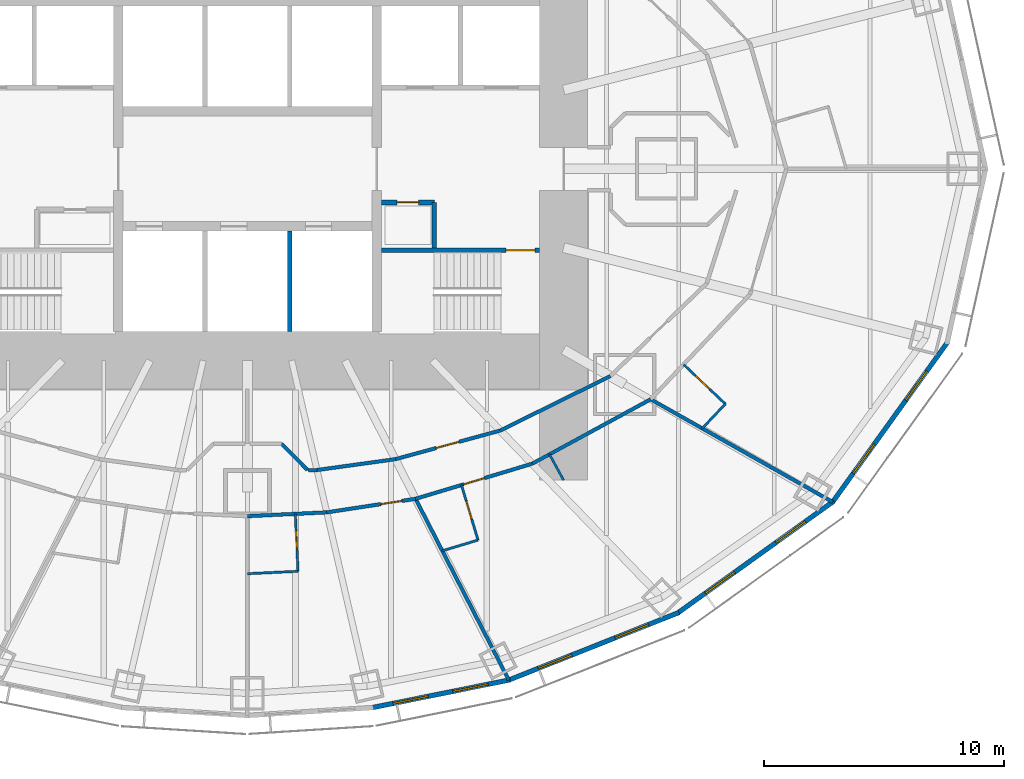
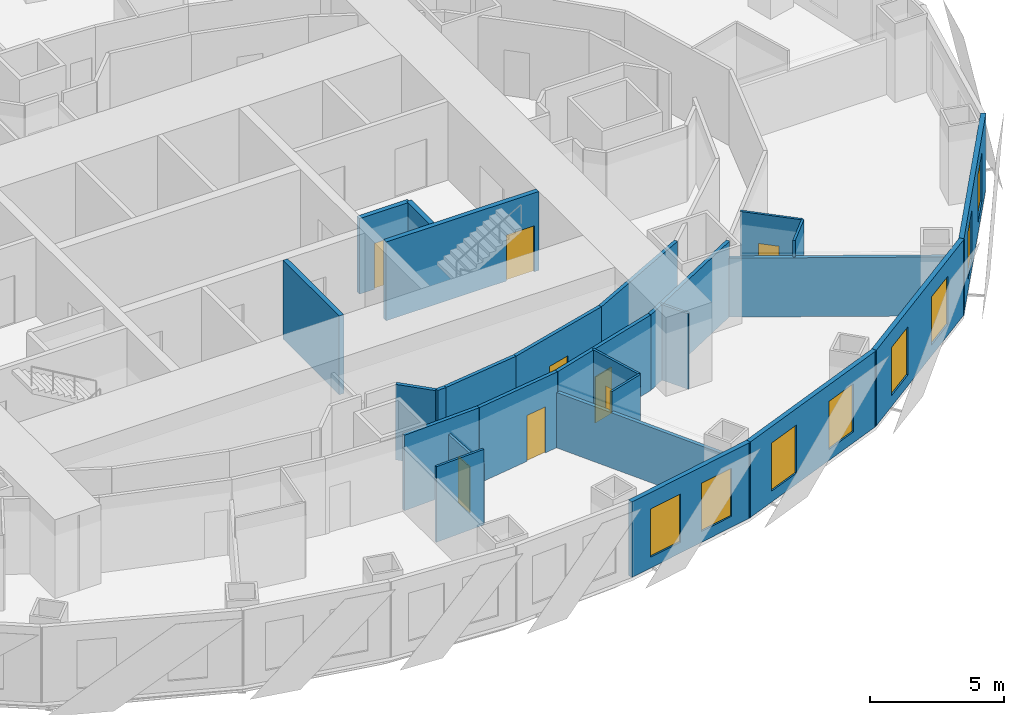
# One storey, part 7 of 15: 26 walls, 8 doors, 8 windows, 16 openings.
"""IFC4 building model written with IfcOpenShell, lengths in metres."""

from ifc_helpers import new_model, si_unit, direction, frame, frame_2d, origin, place, context, subcontext, project, spatial, rectangle, extrude, material, layer, layer_set, type_object, element, fill, save


model = new_model("IFC4")

# Units and contexts
model_context = context("Model", 3, precision=1e-05, world=origin(), true_north=direction((0.0, 1.0)))
body_context = subcontext(model_context, "Body", "Model", "MODEL_VIEW")
ifc_project = project(units=[si_unit("LENGTHUNIT", "METRE"), si_unit("AREAUNIT", "SQUARE_METRE"), si_unit("VOLUMEUNIT", "CUBIC_METRE"), si_unit("PLANEANGLEUNIT", "RADIAN"), si_unit("MASSUNIT", "GRAM", prefix="KILO")], contexts=[model_context])

# Site, building, storey
site_placement = place(None, origin())
site = spatial("IfcSite", under=ifc_project, at=site_placement, CompositionType="ELEMENT")
building_placement = place(site_placement, origin())
building = spatial("IfcBuilding", under=site, at=building_placement, Name="Lantaw Convention Tower", CompositionType="ELEMENT")
storey_placement = place(building_placement, frame((0.0, 0.0, 87.39990234375)))
storey = spatial("IfcBuildingStorey", under=building, at=storey_placement, Name="L20", CompositionType="ELEMENT", Elevation=87.39990234375)

# Wall, opening, door
ifc_material_1 = material(Name="Moisture resistant gypsum board on steel studs", Category="steel")
ifc_layer_1 = layer(ifc_material_1, 0.10009765625)
ifc_layer_set_1 = layer_set([ifc_layer_1], Name="Bathroom wall 100")
wall_type_1 = type_object("IfcWallType", Name="Bathroom wall 100", PredefinedType="PARTITIONING", material=ifc_layer_set_1)
wall_1_placement = place(storey_placement, frame((1.997802734375, -14.40478515625, 0.0), z_axis=(0.0, 0.0, 1.0), x_axis=(0.047608648396, -0.998866065395, 0.0)))
wall_1 = element("IfcWall", 1, at=wall_1_placement, inside=storey, type_object=wall_type_1, Name="Bathroom wall 100", PredefinedType="PARTITIONING", context=body_context, shape_type="SweptSolid", body=[
    extrude(rectangle(XDim=2.39990234375, YDim=0.10009765625, at=frame_2d((1.199951171875, 0.0))), origin(), (0.0, 0.0, 1.0), 2.7490234375),
])
opening_1_placement = place(wall_1_placement, frame((0.699951171875, 0.0, 0.0)))
opening_1 = element("IfcOpeningElement", 2, at=opening_1_placement, cuts=wall_1, Name="Opening L20.44", PredefinedType="OPENING", context=body_context, shape_type="SweptSolid", body=[
    extrude(rectangle(XDim=0.800048828125, YDim=2.10009765625, at=frame_2d((0.39990234375, 1.050048828125))), frame((0.0, 0.06005859375, 0.0), z_axis=(0.0, -1.0, 0.0), x_axis=(1.0, 0.0, 0.0)), (0.0, 0.0, 1.0), 0.1201171875),
])
ifc_material_2 = material(Name="Timber", Category="wood")
door_type_1 = type_object("IfcDoorType", Name="Bathroom door 800", OperationType="SINGLE_SWING_LEFT", PredefinedType="DOOR", material=ifc_material_2)
door_1_placement = place(opening_1_placement, origin())
door_1 = element("IfcDoor", 3, at=door_1_placement, inside=storey, type_object=door_type_1, Name="Bathroom door", OperationType="SINGLE_SWING_LEFT", OverallHeight=2.10009765625, OverallWidth=0.800048828125, PredefinedType="DOOR", context=body_context, shape_type="SweptSolid", body=[
    extrude(rectangle(XDim=0.800048828125, YDim=2.10009765625, at=frame_2d((0.39990234375, 1.050048828125))), frame((0.0, 0.02490234375, 0.0), z_axis=(0.0, -1.0, 0.0), x_axis=(1.0, 0.0, 0.0)), (0.0, 0.0, 1.0), 0.050048828125),
])
fill(opening_1, door_1)

# Wall
wall_2_placement = place(storey_placement, frame((2.112060546875, -16.802001953125, 0.0), z_axis=(0.0, 0.0, 1.0), x_axis=(-0.998862383453, -0.047685835668, 0.0)))
element("IfcWall", 4, at=wall_2_placement, inside=storey, type_object=wall_type_1, Name="Bathroom wall 100", PredefinedType="PARTITIONING", context=body_context, shape_type="SweptSolid", body=[
    extrude(rectangle(XDim=2.114501953125, YDim=0.10009765625, at=frame_2d((1.05712890625, 0.0))), origin(), (0.0, 0.0, 1.0), 3.4501953125),
])

# Wall, opening, door
wall_3_placement = place(storey_placement, frame((8.9345703125, -13.199951171875, 0.0), z_axis=(0.0, 0.0, 1.0), x_axis=(0.288197066254, -0.957571120598, 0.0)))
wall_3 = element("IfcWall", 5, at=wall_3_placement, inside=storey, type_object=wall_type_1, Name="Bathroom wall 100", PredefinedType="PARTITIONING", context=body_context, shape_type="SweptSolid", body=[
    extrude(rectangle(XDim=2.39990234375, YDim=0.10009765625, at=frame_2d((1.199951171875, 0.0))), origin(), (0.0, 0.0, 1.0), 3.4501953125),
])
opening_2_placement = place(wall_3_placement, frame((0.699951171875, 0.0, 0.0)))
opening_2 = element("IfcOpeningElement", 6, at=opening_2_placement, cuts=wall_3, Name="Opening L20.46", PredefinedType="OPENING", context=body_context, shape_type="SweptSolid", body=[
    extrude(rectangle(XDim=0.800048828125, YDim=2.10009765625, at=frame_2d((0.39990234375, 1.050048828125))), frame((0.0, 0.06005859375, 0.0), z_axis=(0.0, -1.0, 0.0), x_axis=(1.0, 0.0, 0.0)), (0.0, 0.0, 1.0), 0.1201171875),
])
door_2_placement = place(opening_2_placement, origin())
door_2 = element("IfcDoor", 7, at=door_2_placement, inside=storey, type_object=door_type_1, Name="Bathroom door", OperationType="SINGLE_SWING_LEFT", OverallHeight=2.10009765625, OverallWidth=0.800048828125, PredefinedType="DOOR", context=body_context, shape_type="SweptSolid", body=[
    extrude(rectangle(XDim=0.800048828125, YDim=2.10009765625, at=frame_2d((0.39990234375, 1.050048828125))), frame((0.0, 0.02490234375, 0.0), z_axis=(0.0, -1.0, 0.0), x_axis=(1.0, 0.0, 0.0)), (0.0, 0.0, 1.0), 0.050048828125),
])
fill(opening_2, door_2)

# Wall
wall_4_placement = place(storey_placement, frame((9.626220703125, -15.498046875, 0.0), z_axis=(0.0, 0.0, 1.0), x_axis=(-0.957551231109, -0.288263143328, 0.0)))
element("IfcWall", 8, at=wall_4_placement, inside=storey, type_object=wall_type_1, Name="Bathroom wall 100", PredefinedType="PARTITIONING", context=body_context, shape_type="SweptSolid", body=[
    extrude(rectangle(XDim=1.56591796875, YDim=0.10009765625, at=frame_2d((0.782958984375, 0.0))), origin(), (0.0, 0.0, 1.0), 3.4501953125),
])

# Wall, opening, door
wall_5_placement = place(storey_placement, frame((18.209228515625, -8.166748046875, 0.0), z_axis=(0.0, 0.0, 1.0), x_axis=(0.726567238928, -0.687095369885, 0.0)))
wall_5 = element("IfcWall", 9, at=wall_5_placement, inside=storey, type_object=wall_type_1, Name="Bathroom wall 100", PredefinedType="PARTITIONING", context=body_context, shape_type="SweptSolid", body=[
    extrude(rectangle(XDim=2.39990234375, YDim=0.10009765625, at=frame_2d((1.199951171875, 0.0))), origin(), (0.0, 0.0, 1.0), 3.4501953125),
])
opening_3_placement = place(wall_5_placement, frame((0.699951171875, 0.0, 0.0)))
opening_3 = element("IfcOpeningElement", 10, at=opening_3_placement, cuts=wall_5, Name="Opening L20.48", PredefinedType="OPENING", context=body_context, shape_type="SweptSolid", body=[
    extrude(rectangle(XDim=0.800048828125, YDim=2.10009765625, at=frame_2d((0.39990234375, 1.050048828125))), frame((0.0, 0.06005859375, 0.0), z_axis=(0.0, -1.0, 0.0), x_axis=(1.0, 0.0, 0.0)), (0.0, 0.0, 1.0), 0.1201171875),
])
door_3_placement = place(opening_3_placement, origin())
door_3 = element("IfcDoor", 11, at=door_3_placement, inside=storey, type_object=door_type_1, Name="Bathroom door", OperationType="SINGLE_SWING_LEFT", OverallHeight=2.10009765625, OverallWidth=0.800048828125, PredefinedType="DOOR", context=body_context, shape_type="SweptSolid", body=[
    extrude(rectangle(XDim=0.800048828125, YDim=2.10009765625, at=frame_2d((0.39990234375, 1.050048828125))), frame((0.0, 0.02490234375, 0.0), z_axis=(0.0, -1.0, 0.0), x_axis=(1.0, 0.0, 0.0)), (0.0, 0.0, 1.0), 0.050048828125),
])
fill(opening_3, door_3)

# Wall
wall_6_placement = place(storey_placement, frame((19.952880859375, -9.815673828125, 0.0), z_axis=(0.0, 0.0, 1.0), x_axis=(-0.687017997787, -0.726640399866, 0.0)))
element("IfcWall", 12, at=wall_6_placement, inside=storey, type_object=wall_type_1, Name="Bathroom wall 100", PredefinedType="PARTITIONING", context=body_context, shape_type="SweptSolid", body=[
    extrude(rectangle(XDim=1.417236328125, YDim=0.10009765625, at=frame_2d((0.70849609375, 0.0))), origin(), (0.0, 0.0, 1.0), 3.4501953125),
])

# Wall, opening, door
ifc_material_3 = material(Name="Concrete C60/75", Category="concrete")
ifc_layer_2 = layer(ifc_material_3, 0.199951171875)
ifc_layer_set_2 = layer_set([ifc_layer_2], Name="Core wall 200")
wall_type_2 = type_object("IfcWallType", Name="Core wall 200", PredefinedType="SHEAR", material=ifc_layer_set_2)
wall_7_placement = place(storey_placement, frame((5.60009765625, -3.39990234375, 0.0), z_axis=(0.0, 0.0, 1.0), x_axis=(1.0, 0.0, 0.0)))
wall_7 = element("IfcWall", 13, at=wall_7_placement, inside=storey, type_object=wall_type_2, Name="Core wall ES", PredefinedType="SHEAR", context=body_context, shape_type="SweptSolid", body=[
    extrude(rectangle(XDim=6.599853515625, YDim=0.199951171875, at=frame_2d((3.2998046875, 0.0))), origin(), (0.0, 0.0, 1.0), 3.60009765625),
])
opening_4_placement = place(wall_7_placement, frame((5.199951171875, 0.0, 0.0)))
opening_4 = element("IfcOpeningElement", 14, at=opening_4_placement, cuts=wall_7, Name="Opening L20.05", PredefinedType="OPENING", context=body_context, shape_type="SweptSolid", body=[
    extrude(rectangle(XDim=1.199951171875, YDim=2.10009765625, at=frame_2d((0.60009765625, 1.050048828125))), frame((0.0, 0.10986328125, 0.0), z_axis=(0.0, -1.0, 0.0), x_axis=(1.0, 0.0, 0.0)), (0.0, 0.0, 1.0), 0.219970703125),
])
ifc_material_4 = material(Name="Steel, fire rated", Category="steel")
door_type_2 = type_object("IfcDoorType", Name="Stair door FD90", OperationType="SINGLE_SWING_RIGHT", PredefinedType="DOOR", material=ifc_material_4)
door_4_placement = place(opening_4_placement, origin())
door_4 = element("IfcDoor", 15, at=door_4_placement, inside=storey, type_object=door_type_2, Name="Exit stair door", OperationType="SINGLE_SWING_RIGHT", OverallHeight=2.10009765625, OverallWidth=1.199951171875, PredefinedType="DOOR", context=body_context, shape_type="SweptSolid", body=[
    extrude(rectangle(XDim=1.199951171875, YDim=2.10009765625, at=frame_2d((0.60009765625, 1.050048828125))), frame((0.0, 0.02490234375, 0.0), z_axis=(0.0, -1.0, 0.0), x_axis=(1.0, 0.0, 0.0)), (0.0, 0.0, 1.0), 0.050048828125),
])
fill(opening_4, door_4)

# Wall
ifc_material_5 = material(Name="Gypsum board on steel studs, fire rated", Category="steel")
ifc_layer_3 = layer(ifc_material_5, 0.14990234375)
ifc_layer_set_3 = layer_set([ifc_layer_3], Name="Corridor wall 150 EI 60")
wall_type_3 = type_object("IfcWallType", Name="Corridor wall 150 EI 60", PredefinedType="PARTITIONING", material=ifc_layer_set_3)
wall_8_placement = place(storey_placement, frame((0.0, -14.5, 0.0), z_axis=(0.0, 0.0, 1.0), x_axis=(0.998863968075, 0.047652631422, 0.0)))
element("IfcWall", 16, at=wall_8_placement, inside=storey, type_object=wall_type_3, Name="Corridor wall 150", PredefinedType="PARTITIONING", context=body_context, shape_type="SweptSolid", body=[
    extrude(rectangle(XDim=3.314697265625, YDim=0.14990234375, at=frame_2d((1.6572265625, 0.0))), origin(), (0.0, 0.0, 1.0), 3.4501953125),
])

# Wall, opening, door
wall_9_placement = place(storey_placement, frame((3.31103515625, -14.342041015625, 0.0), z_axis=(0.0, 0.0, 1.0), x_axis=(0.988564270062, 0.150800145746, 0.0)))
wall_9 = element("IfcWall", 17, at=wall_9_placement, inside=storey, type_object=wall_type_3, Name="Corridor wall 150", PredefinedType="PARTITIONING", context=body_context, shape_type="SweptSolid", body=[
    extrude(rectangle(XDim=3.751220703125, YDim=0.14990234375, at=frame_2d((1.87548828125, 0.0))), origin(), (0.0, 0.0, 1.0), 3.4501953125),
])
opening_5_placement = place(wall_9_placement, frame((2.27587890625, 0.0, 0.0)))
opening_5 = element("IfcOpeningElement", 18, at=opening_5_placement, cuts=wall_9, Name="Opening L20.45", PredefinedType="OPENING", context=body_context, shape_type="SweptSolid", body=[
    extrude(rectangle(XDim=0.89990234375, YDim=2.10009765625, at=frame_2d((0.449951171875, 1.050048828125))), frame((0.0, 0.0849609375, 0.0), z_axis=(0.0, -1.0, 0.0), x_axis=(1.0, 0.0, 0.0)), (0.0, 0.0, 1.0), 0.169921875),
])
door_type_3 = type_object("IfcDoorType", Name="Guest room entrance door FD30S", OperationType="SINGLE_SWING_LEFT", PredefinedType="DOOR", material=ifc_material_4)
door_5_placement = place(opening_5_placement, origin())
door_5 = element("IfcDoor", 19, at=door_5_placement, inside=storey, type_object=door_type_3, Name="Junior suite entrance door", OperationType="SINGLE_SWING_LEFT", OverallHeight=2.10009765625, OverallWidth=0.89990234375, PredefinedType="DOOR", context=body_context, shape_type="SweptSolid", body=[
    extrude(rectangle(XDim=0.89990234375, YDim=2.10009765625, at=frame_2d((0.449951171875, 1.050048828125))), frame((0.0, 0.02490234375, 0.0), z_axis=(0.0, -1.0, 0.0), x_axis=(1.0, 0.0, 0.0)), (0.0, 0.0, 1.0), 0.050048828125),
])
fill(opening_5, door_5)

wall_10_placement = place(storey_placement, frame((7.019287109375, -13.7763671875, 0.0), z_axis=(0.0, 0.0, 1.0), x_axis=(0.957564241242, 0.288219922793, 0.0)))
wall_10 = element("IfcWall", 20, at=wall_10_placement, inside=storey, type_object=wall_type_3, Name="Corridor wall 150", PredefinedType="PARTITIONING", context=body_context, shape_type="SweptSolid", body=[
    extrude(rectangle(XDim=5.0849609375, YDim=0.14990234375, at=frame_2d((2.54248046875, 0.0))), origin(), (0.0, 0.0, 1.0), 3.4501953125),
])
opening_6_placement = place(wall_10_placement, frame((2.10009765625, 0.0, 0.0)))
opening_6 = element("IfcOpeningElement", 21, at=opening_6_placement, cuts=wall_10, Name="Opening L20.47", PredefinedType="OPENING", context=body_context, shape_type="SweptSolid", body=[
    extrude(rectangle(XDim=0.89990234375, YDim=2.10009765625, at=frame_2d((0.449951171875, 1.050048828125))), frame((0.0, 0.0849609375, 0.0), z_axis=(0.0, -1.0, 0.0), x_axis=(1.0, 0.0, 0.0)), (0.0, 0.0, 1.0), 0.169921875),
])
door_6_placement = place(opening_6_placement, origin())
door_6 = element("IfcDoor", 22, at=door_6_placement, inside=storey, type_object=door_type_3, Name="Junior suite entrance door", OperationType="SINGLE_SWING_LEFT", OverallHeight=2.10009765625, OverallWidth=0.89990234375, PredefinedType="DOOR", context=body_context, shape_type="SweptSolid", body=[
    extrude(rectangle(XDim=0.89990234375, YDim=2.10009765625, at=frame_2d((0.449951171875, 1.050048828125))), frame((0.0, 0.02490234375, 0.0), z_axis=(0.0, -1.0, 0.0), x_axis=(1.0, 0.0, 0.0)), (0.0, 0.0, 1.0), 0.050048828125),
])
fill(opening_6, door_6)

# Walls
wall_11_placement = place(storey_placement, frame((11.888427734375, -12.310791015625, 0.0), z_axis=(0.0, 0.0, 1.0), x_axis=(0.878450059298, 0.477834169267, 0.0)))
element("IfcWall", 23, at=wall_11_placement, inside=storey, type_object=wall_type_3, Name="Corridor wall 150", PredefinedType="PARTITIONING", context=body_context, shape_type="SweptSolid", body=[
    extrude(rectangle(XDim=5.630859375, YDim=0.14990234375, at=frame_2d((2.8154296875, 0.0))), origin(), (0.0, 0.0, 1.0), 3.4501953125),
])
wall_12_placement = place(storey_placement, frame((2.903076171875, -12.574462890625, 0.0), z_axis=(0.0, 0.0, 1.0), x_axis=(0.990563451353, 0.137054911782, 0.0)))
element("IfcWall", 24, at=wall_12_placement, inside=storey, type_object=wall_type_3, Name="Corridor wall 150", PredefinedType="PARTITIONING", context=body_context, shape_type="SweptSolid", body=[
    extrude(rectangle(XDim=3.304443359375, YDim=0.14990234375, at=frame_2d((1.65234375, 0.0))), origin(), (0.0, 0.0, 1.0), 3.4501953125),
])

# Wall, opening, door
wall_13_placement = place(storey_placement, frame((6.17626953125, -12.12158203125, 0.0), z_axis=(0.0, 0.0, 1.0), x_axis=(0.964644466646, 0.263554648923, 0.0)))
wall_13 = element("IfcWall", 25, at=wall_13_placement, inside=storey, type_object=wall_type_3, Name="Corridor wall 150", PredefinedType="PARTITIONING", context=body_context, shape_type="SweptSolid", body=[
    extrude(rectangle(XDim=4.535400390625, YDim=0.14990234375, at=frame_2d((2.267578125, 0.0))), origin(), (0.0, 0.0, 1.0), 3.4501953125),
])
opening_7_placement = place(wall_13_placement, frame((1.767578125, 0.0, 0.0)))
opening_7 = element("IfcOpeningElement", 26, at=opening_7_placement, cuts=wall_13, Name="Opening L20.24", PredefinedType="OPENING", context=body_context, shape_type="SweptSolid", body=[
    extrude(rectangle(XDim=1.0, YDim=2.10009765625, at=frame_2d((0.5, 1.050048828125))), frame((0.0, 0.0849609375, 0.0), z_axis=(0.0, -1.0, 0.0), x_axis=(1.0, 0.0, 0.0)), (0.0, 0.0, 1.0), 0.169921875),
])
door_type_4 = type_object("IfcDoorType", Name="Service door 1000 FD30", OperationType="SINGLE_SWING_LEFT", PredefinedType="DOOR", material=ifc_material_4)
door_7_placement = place(opening_7_placement, origin())
door_7 = element("IfcDoor", 27, at=door_7_placement, inside=storey, type_object=door_type_4, Name="Room service pantry door", OperationType="SINGLE_SWING_LEFT", OverallHeight=2.10009765625, OverallWidth=1.0, PredefinedType="DOOR", context=body_context, shape_type="SweptSolid", body=[
    extrude(rectangle(XDim=1.0, YDim=2.10009765625, at=frame_2d((0.5, 1.050048828125))), frame((0.0, 0.02490234375, 0.0), z_axis=(0.0, -1.0, 0.0), x_axis=(1.0, 0.0, 0.0)), (0.0, 0.0, 1.0), 0.050048828125),
])
fill(opening_7, door_7)

# Walls
wall_14_placement = place(storey_placement, frame((10.55126953125, -10.92626953125, 0.0), z_axis=(0.0, 0.0, 1.0), x_axis=(0.89656943448, 0.442903205177, 0.0)))
element("IfcWall", 28, at=wall_14_placement, inside=storey, type_object=wall_type_3, Name="Corridor wall 150", PredefinedType="PARTITIONING", context=body_context, shape_type="SweptSolid", body=[
    extrude(rectangle(XDim=5.12646484375, YDim=0.14990234375, at=frame_2d((2.563232421875, 0.0))), origin(), (0.0, 0.0, 1.0), 3.4501953125),
])
wall_15_placement = place(storey_placement, frame((2.537109375, -12.59033203125, 0.0), z_axis=(0.0, 0.0, 1.0), x_axis=(0.999061181733, 0.04332153223, 0.0)))
element("IfcWall", 29, at=wall_15_placement, inside=storey, type_object=wall_type_3, Name="Corridor wall 150", PredefinedType="PARTITIONING", context=body_context, shape_type="SweptSolid", body=[
    extrude(rectangle(XDim=0.3662109375, YDim=0.14990234375, at=frame_2d((0.18310546875, 0.0))), origin(), (0.0, 0.0, 1.0), 3.4501953125),
])
wall_16_placement = place(storey_placement, frame((1.424560546875, -11.47509765625, 0.0), z_axis=(0.0, 0.0, 1.0), x_axis=(0.701622806479, -0.712548550927, 0.0)))
element("IfcWall", 30, at=wall_16_placement, inside=storey, type_object=wall_type_3, Name="Corridor wall 150", PredefinedType="PARTITIONING", context=body_context, shape_type="SweptSolid", body=[
    extrude(rectangle(XDim=1.541748046875, YDim=0.14990234375, at=frame_2d((0.77099609375, 0.0))), origin(), (0.0, 0.0, 1.0), 3.4501953125),
])

# Wall, openings, windows
ifc_material_6 = material(Name="Insulated aluminium panel on steel frame", Category="steel")
ifc_layer_4 = layer(ifc_material_6, 0.199951171875)
ifc_layer_set_4 = layer_set([ifc_layer_4], Name="External wall 200")
wall_type_4 = type_object("IfcWallType", Name="External wall 200", PredefinedType="SOLIDWALL", material=ifc_layer_set_4)
wall_17_placement = place(storey_placement, frame((5.169677734375, -22.504150390625, 0.0), z_axis=(0.0, 0.0, 1.0), x_axis=(0.980251657452, 0.197754110105, 0.0)))
wall_17 = element("IfcWall", 31, at=wall_17_placement, inside=storey, type_object=wall_type_4, Name="Facade panel wall", PredefinedType="SOLIDWALL", context=body_context, shape_type="SweptSolid", body=[
    extrude(rectangle(XDim=5.90380859375, YDim=0.199951171875, at=frame_2d((2.951904296875, 0.0))), origin(), (0.0, 0.0, 1.0), 3.4501953125),
])
opening_8_placement = place(wall_17_placement, frame((0.92578125, 0.0, 0.5)))
opening_8 = element("IfcOpeningElement", 32, at=opening_8_placement, cuts=wall_17, Name="Opening W2", PredefinedType="OPENING", context=body_context, shape_type="SweptSolid", body=[
    extrude(rectangle(XDim=1.5, YDim=2.199951171875, at=frame_2d((0.75, 1.10009765625))), frame((0.0, 0.10986328125, 0.0), z_axis=(0.0, -1.0, 0.0), x_axis=(1.0, 0.0, 0.0)), (0.0, 0.0, 1.0), 0.219970703125),
])
opening_9_placement = place(wall_17_placement, frame((3.477783203125, 0.0, 0.5)))
opening_9 = element("IfcOpeningElement", 33, at=opening_9_placement, cuts=wall_17, Name="Opening W2", PredefinedType="OPENING", context=body_context, shape_type="SweptSolid", body=[
    extrude(rectangle(XDim=1.5, YDim=2.199951171875, at=frame_2d((0.75, 1.10009765625))), frame((0.0, 0.10986328125, 0.0), z_axis=(0.0, -1.0, 0.0), x_axis=(1.0, 0.0, 0.0)), (0.0, 0.0, 1.0), 0.219970703125),
])
ifc_material_7 = material(Name="Aluminium frame, clear insulating glass", Category="aluminium")
window_type = type_object("IfcWindowType", Name="Suite window 1500x2200", PartitioningType="SINGLE_PANEL", PredefinedType="WINDOW", material=ifc_material_7)
window_1_placement = place(opening_8_placement, origin())
window_1 = element("IfcWindow", 34, at=window_1_placement, inside=storey, type_object=window_type, Name="Guest room window", OverallHeight=2.199951171875, OverallWidth=1.5, PartitioningType="SINGLE_PANEL", PredefinedType="WINDOW", context=body_context, shape_type="SweptSolid", body=[
    extrude(rectangle(XDim=1.5, YDim=2.199951171875, at=frame_2d((0.75, 1.10009765625))), frame((0.0, 0.030029296875, 0.0), z_axis=(0.0, -1.0, 0.0), x_axis=(1.0, 0.0, 0.0)), (0.0, 0.0, 1.0), 0.06005859375),
])
fill(opening_8, window_1)
window_2_placement = place(opening_9_placement, origin())
window_2 = element("IfcWindow", 35, at=window_2_placement, inside=storey, type_object=window_type, Name="Guest room window", OverallHeight=2.199951171875, OverallWidth=1.5, PartitioningType="SINGLE_PANEL", PredefinedType="WINDOW", context=body_context, shape_type="SweptSolid", body=[
    extrude(rectangle(XDim=1.5, YDim=2.199951171875, at=frame_2d((0.75, 1.10009765625))), frame((0.0, 0.030029296875, 0.0), z_axis=(0.0, -1.0, 0.0), x_axis=(1.0, 0.0, 0.0)), (0.0, 0.0, 1.0), 0.06005859375),
])
fill(opening_9, window_2)

wall_18_placement = place(storey_placement, frame((10.869384765625, -21.362548828125, 0.0), z_axis=(0.0, 0.0, 1.0), x_axis=(0.929358351251, 0.369178892895, 0.0)))
wall_18 = element("IfcWall", 36, at=wall_18_placement, inside=storey, type_object=wall_type_4, Name="Facade panel wall", PredefinedType="SOLIDWALL", context=body_context, shape_type="SweptSolid", body=[
    extrude(rectangle(XDim=7.6923828125, YDim=0.199951171875, at=frame_2d((3.84619140625, 0.0))), origin(), (0.0, 0.0, 1.0), 3.4501953125),
])
opening_10_placement = place(wall_18_placement, frame((1.373046875, 0.0, 0.5)))
opening_10 = element("IfcOpeningElement", 37, at=opening_10_placement, cuts=wall_18, Name="Opening W2", PredefinedType="OPENING", context=body_context, shape_type="SweptSolid", body=[
    extrude(rectangle(XDim=1.5, YDim=2.199951171875, at=frame_2d((0.75, 1.10009765625))), frame((0.0, 0.10986328125, 0.0), z_axis=(0.0, -1.0, 0.0), x_axis=(1.0, 0.0, 0.0)), (0.0, 0.0, 1.0), 0.219970703125),
])
opening_11_placement = place(wall_18_placement, frame((4.819091796875, 0.0, 0.5)))
opening_11 = element("IfcOpeningElement", 38, at=opening_11_placement, cuts=wall_18, Name="Opening W2", PredefinedType="OPENING", context=body_context, shape_type="SweptSolid", body=[
    extrude(rectangle(XDim=1.5, YDim=2.199951171875, at=frame_2d((0.75, 1.10009765625))), frame((0.0, 0.10986328125, 0.0), z_axis=(0.0, -1.0, 0.0), x_axis=(1.0, 0.0, 0.0)), (0.0, 0.0, 1.0), 0.219970703125),
])
window_3_placement = place(opening_10_placement, origin())
window_3 = element("IfcWindow", 39, at=window_3_placement, inside=storey, type_object=window_type, Name="Guest room window", OverallHeight=2.199951171875, OverallWidth=1.5, PartitioningType="SINGLE_PANEL", PredefinedType="WINDOW", context=body_context, shape_type="SweptSolid", body=[
    extrude(rectangle(XDim=1.5, YDim=2.199951171875, at=frame_2d((0.75, 1.10009765625))), frame((0.0, 0.030029296875, 0.0), z_axis=(0.0, -1.0, 0.0), x_axis=(1.0, 0.0, 0.0)), (0.0, 0.0, 1.0), 0.06005859375),
])
fill(opening_10, window_3)
window_4_placement = place(opening_11_placement, origin())
window_4 = element("IfcWindow", 40, at=window_4_placement, inside=storey, type_object=window_type, Name="Guest room window", OverallHeight=2.199951171875, OverallWidth=1.5, PartitioningType="SINGLE_PANEL", PredefinedType="WINDOW", context=body_context, shape_type="SweptSolid", body=[
    extrude(rectangle(XDim=1.5, YDim=2.199951171875, at=frame_2d((0.75, 1.10009765625))), frame((0.0, 0.030029296875, 0.0), z_axis=(0.0, -1.0, 0.0), x_axis=(1.0, 0.0, 0.0)), (0.0, 0.0, 1.0), 0.06005859375),
])
fill(opening_11, window_4)

wall_19_placement = place(storey_placement, frame((17.9287109375, -18.57177734375, 0.0), z_axis=(0.0, 0.0, 1.0), x_axis=(0.812791321576, 0.582554948112, 0.0)))
wall_19 = element("IfcWall", 41, at=wall_19_placement, inside=storey, type_object=wall_type_4, Name="Facade panel wall", PredefinedType="SOLIDWALL", context=body_context, shape_type="SweptSolid", body=[
    extrude(rectangle(XDim=8.063232421875, YDim=0.199951171875, at=frame_2d((4.03173828125, 0.0))), origin(), (0.0, 0.0, 1.0), 3.4501953125),
])
opening_12_placement = place(wall_19_placement, frame((1.4658203125, 0.0, 0.5)))
opening_12 = element("IfcOpeningElement", 42, at=opening_12_placement, cuts=wall_19, Name="Opening W2", PredefinedType="OPENING", context=body_context, shape_type="SweptSolid", body=[
    extrude(rectangle(XDim=1.5, YDim=2.199951171875, at=frame_2d((0.75, 1.10009765625))), frame((0.0, 0.10986328125, 0.0), z_axis=(0.0, -1.0, 0.0), x_axis=(1.0, 0.0, 0.0)), (0.0, 0.0, 1.0), 0.219970703125),
])
opening_13_placement = place(wall_19_placement, frame((5.097412109375, 0.0, 0.5)))
opening_13 = element("IfcOpeningElement", 43, at=opening_13_placement, cuts=wall_19, Name="Opening W2", PredefinedType="OPENING", context=body_context, shape_type="SweptSolid", body=[
    extrude(rectangle(XDim=1.5, YDim=2.199951171875, at=frame_2d((0.75, 1.10009765625))), frame((0.0, 0.10986328125, 0.0), z_axis=(0.0, -1.0, 0.0), x_axis=(1.0, 0.0, 0.0)), (0.0, 0.0, 1.0), 0.219970703125),
])
window_5_placement = place(opening_12_placement, origin())
window_5 = element("IfcWindow", 44, at=window_5_placement, inside=storey, type_object=window_type, Name="Guest room window", OverallHeight=2.199951171875, OverallWidth=1.5, PartitioningType="SINGLE_PANEL", PredefinedType="WINDOW", context=body_context, shape_type="SweptSolid", body=[
    extrude(rectangle(XDim=1.5, YDim=2.199951171875, at=frame_2d((0.75, 1.10009765625))), frame((0.0, 0.030029296875, 0.0), z_axis=(0.0, -1.0, 0.0), x_axis=(1.0, 0.0, 0.0)), (0.0, 0.0, 1.0), 0.06005859375),
])
fill(opening_12, window_5)
window_6_placement = place(opening_13_placement, origin())
window_6 = element("IfcWindow", 45, at=window_6_placement, inside=storey, type_object=window_type, Name="Guest room window", OverallHeight=2.199951171875, OverallWidth=1.5, PartitioningType="SINGLE_PANEL", PredefinedType="WINDOW", context=body_context, shape_type="SweptSolid", body=[
    extrude(rectangle(XDim=1.5, YDim=2.199951171875, at=frame_2d((0.75, 1.10009765625))), frame((0.0, 0.030029296875, 0.0), z_axis=(0.0, -1.0, 0.0), x_axis=(1.0, 0.0, 0.0)), (0.0, 0.0, 1.0), 0.06005859375),
])
fill(opening_13, window_6)

wall_20_placement = place(storey_placement, frame((24.400390625, -13.95654296875, 0.0), z_axis=(0.0, 0.0, 1.0), x_axis=(0.583937613703, 0.811798536155, 0.0)))
wall_20 = element("IfcWall", 46, at=wall_20_placement, inside=storey, type_object=wall_type_4, Name="Facade panel wall", PredefinedType="SOLIDWALL", context=body_context, shape_type="SweptSolid", body=[
    extrude(rectangle(XDim=8.322998046875, YDim=0.199951171875, at=frame_2d((4.16162109375, 0.0))), origin(), (0.0, 0.0, 1.0), 3.4501953125),
])
opening_14_placement = place(wall_20_placement, frame((1.53076171875, 0.0, 0.5)))
opening_14 = element("IfcOpeningElement", 47, at=opening_14_placement, cuts=wall_20, Name="Opening W2", PredefinedType="OPENING", context=body_context, shape_type="SweptSolid", body=[
    extrude(rectangle(XDim=1.5, YDim=2.199951171875, at=frame_2d((0.75, 1.10009765625))), frame((0.0, 0.10986328125, 0.0), z_axis=(0.0, -1.0, 0.0), x_axis=(1.0, 0.0, 0.0)), (0.0, 0.0, 1.0), 0.219970703125),
])
opening_15_placement = place(wall_20_placement, frame((5.292236328125, 0.0, 0.5)))
opening_15 = element("IfcOpeningElement", 48, at=opening_15_placement, cuts=wall_20, Name="Opening W2", PredefinedType="OPENING", context=body_context, shape_type="SweptSolid", body=[
    extrude(rectangle(XDim=1.5, YDim=2.199951171875, at=frame_2d((0.75, 1.10009765625))), frame((0.0, 0.10986328125, 0.0), z_axis=(0.0, -1.0, 0.0), x_axis=(1.0, 0.0, 0.0)), (0.0, 0.0, 1.0), 0.219970703125),
])
window_7_placement = place(opening_14_placement, origin())
window_7 = element("IfcWindow", 49, at=window_7_placement, inside=storey, type_object=window_type, Name="Guest room window", OverallHeight=2.199951171875, OverallWidth=1.5, PartitioningType="SINGLE_PANEL", PredefinedType="WINDOW", context=body_context, shape_type="SweptSolid", body=[
    extrude(rectangle(XDim=1.5, YDim=2.199951171875, at=frame_2d((0.75, 1.10009765625))), frame((0.0, 0.030029296875, 0.0), z_axis=(0.0, -1.0, 0.0), x_axis=(1.0, 0.0, 0.0)), (0.0, 0.0, 1.0), 0.06005859375),
])
fill(opening_14, window_7)
window_8_placement = place(opening_15_placement, origin())
window_8 = element("IfcWindow", 50, at=window_8_placement, inside=storey, type_object=window_type, Name="Guest room window", OverallHeight=2.199951171875, OverallWidth=1.5, PartitioningType="SINGLE_PANEL", PredefinedType="WINDOW", context=body_context, shape_type="SweptSolid", body=[
    extrude(rectangle(XDim=1.5, YDim=2.199951171875, at=frame_2d((0.75, 1.10009765625))), frame((0.0, 0.030029296875, 0.0), z_axis=(0.0, -1.0, 0.0), x_axis=(1.0, 0.0, 0.0)), (0.0, 0.0, 1.0), 0.06005859375),
])
fill(opening_15, window_8)

# Walls
ifc_material_8 = material(Name="Gypsum board on steel studs, acoustic", Category="steel")
ifc_layer_5 = layer(ifc_material_8, 0.14990234375)
ifc_layer_set_5 = layer_set([ifc_layer_5], Name="Guest room party wall 150")
wall_type_5 = type_object("IfcWallType", Name="Guest room party wall 150", PredefinedType="PARTITIONING", material=ifc_layer_set_5)
wall_21_placement = place(storey_placement, frame((10.911865234375, -21.345703125, 0.0), z_axis=(0.0, 0.0, 1.0), x_axis=(-0.457327273085, 0.889298468059, 0.0)))
element("IfcWall", 51, at=wall_21_placement, inside=storey, type_object=wall_type_5, Name="Guest room party wall 150", PredefinedType="PARTITIONING", context=body_context, shape_type="SweptSolid", body=[
    extrude(rectangle(XDim=8.511474609375, YDim=0.14990234375, at=frame_2d((4.255859375, 0.0))), origin(), (0.0, 0.0, 1.0), 2.528076171875),
])
wall_22_placement = place(storey_placement, frame((24.434814453125, -13.90869140625, 0.0), z_axis=(0.0, 0.0, 1.0), x_axis=(-0.87090601027, 0.491449612143, 0.0)))
element("IfcWall", 52, at=wall_22_placement, inside=storey, type_object=wall_type_5, Name="Guest room party wall 150", PredefinedType="PARTITIONING", context=body_context, shape_type="SweptSolid", body=[
    extrude(rectangle(XDim=8.726318359375, YDim=0.14990234375, at=frame_2d((4.36328125, 0.0))), origin(), (0.0, 0.0, 1.0), 2.693115234375),
])
ifc_layer_6 = layer(ifc_material_8, 0.10009765625)
ifc_layer_set_6 = layer_set([ifc_layer_6], Name="Office partition 100")
wall_type_6 = type_object("IfcWallType", Name="Office partition 100", PredefinedType="PARTITIONING", material=ifc_layer_set_6)
wall_23_placement = place(storey_placement, frame((13.199951171875, -13.0, 0.0), z_axis=(0.0, 0.0, 1.0), x_axis=(-0.477852414256, 0.878440134665, 0.0)))
element("IfcWall", 53, at=wall_23_placement, inside=storey, type_object=wall_type_6, Name="Office partition 100", PredefinedType="PARTITIONING", context=body_context, shape_type="SweptSolid", body=[
    extrude(rectangle(XDim=1.232421875, YDim=0.10009765625, at=frame_2d((0.6162109375, 0.0))), origin(), (0.0, 0.0, 1.0), 3.4501953125),
])

# Wall, opening, door
ifc_material_9 = material(Name="Concrete blockwork, fire rated", Category="masonry")
ifc_layer_7 = layer(ifc_material_9, 0.199951171875)
ifc_layer_set_7 = layer_set([ifc_layer_7], Name="Plant room wall 200 EI 120")
wall_type_7 = type_object("IfcWallType", Name="Plant room wall 200 EI 120", PredefinedType="SOLIDWALL", material=ifc_layer_set_7)
wall_24_placement = place(storey_placement, frame((5.60009765625, -1.39990234375, 0.0), z_axis=(0.0, 0.0, 1.0), x_axis=(1.0, 0.0, 0.0)))
wall_24 = element("IfcWall", 54, at=wall_24_placement, inside=storey, type_object=wall_type_7, Name="Plant room wall 200", PredefinedType="SOLIDWALL", context=body_context, shape_type="SweptSolid", body=[
    extrude(rectangle(XDim=2.199951171875, YDim=0.199951171875, at=frame_2d((1.10009765625, 0.0))), origin(), (0.0, 0.0, 1.0), 3.4501953125),
])
opening_16_placement = place(wall_24_placement, frame((0.64990234375, 0.0, 0.0)))
opening_16 = element("IfcOpeningElement", 55, at=opening_16_placement, cuts=wall_24, Name="Opening L20.02", PredefinedType="OPENING", context=body_context, shape_type="SweptSolid", body=[
    extrude(rectangle(XDim=0.89990234375, YDim=2.10009765625, at=frame_2d((0.449951171875, 1.050048828125))), frame((0.0, 0.10986328125, 0.0), z_axis=(0.0, -1.0, 0.0), x_axis=(1.0, 0.0, 0.0)), (0.0, 0.0, 1.0), 0.219970703125),
])
door_type_5 = type_object("IfcDoorType", Name="Service door 900 FD60", OperationType="SINGLE_SWING_LEFT", PredefinedType="DOOR", material=ifc_material_4)
door_8_placement = place(opening_16_placement, origin())
door_8 = element("IfcDoor", 56, at=door_8_placement, inside=storey, type_object=door_type_5, Name="Staff WC door", OperationType="SINGLE_SWING_LEFT", OverallHeight=2.10009765625, OverallWidth=0.89990234375, PredefinedType="DOOR", context=body_context, shape_type="SweptSolid", body=[
    extrude(rectangle(XDim=0.89990234375, YDim=2.10009765625, at=frame_2d((0.449951171875, 1.050048828125))), frame((0.0, 0.02490234375, 0.0), z_axis=(0.0, -1.0, 0.0), x_axis=(1.0, 0.0, 0.0)), (0.0, 0.0, 1.0), 0.050048828125),
])
fill(opening_16, door_8)

# Walls
wall_25_placement = place(storey_placement, frame((7.800048828125, -1.39990234375, 0.0), z_axis=(0.0, 0.0, 1.0), x_axis=(0.0, -1.0, 0.0)))
element("IfcWall", 57, at=wall_25_placement, inside=storey, type_object=wall_type_7, Name="Plant room wall 200", PredefinedType="SOLIDWALL", context=body_context, shape_type="SweptSolid", body=[
    extrude(rectangle(XDim=1.900146484375, YDim=0.199951171875, at=frame_2d((0.9501953125, 0.0))), origin(), (0.0, 0.0, 1.0), 3.4501953125),
])
ifc_layer_8 = layer(ifc_material_9, 0.199951171875)
ifc_layer_set_8 = layer_set([ifc_layer_8], Name="Shaft wall 200 load-bearing")
wall_type_8 = type_object("IfcWallType", Name="Shaft wall 200 load-bearing", PredefinedType="SOLIDWALL", material=ifc_layer_set_8)
wall_26_placement = place(storey_placement, frame((1.7666015625, -2.60009765625, 0.0), z_axis=(0.0, 0.0, 1.0), x_axis=(0.0, -1.0, 0.0)))
element("IfcWall", 58, at=wall_26_placement, inside=storey, type_object=wall_type_8, Name="Shaft wall DS2", PredefinedType="SOLIDWALL", context=body_context, shape_type="SweptSolid", body=[
    extrude(rectangle(XDim=4.199951171875, YDim=0.199951171875, at=frame_2d((2.10009765625, 0.0))), origin(), (0.0, 0.0, 1.0), 3.60009765625),
])

save(model, "model.ifc")
